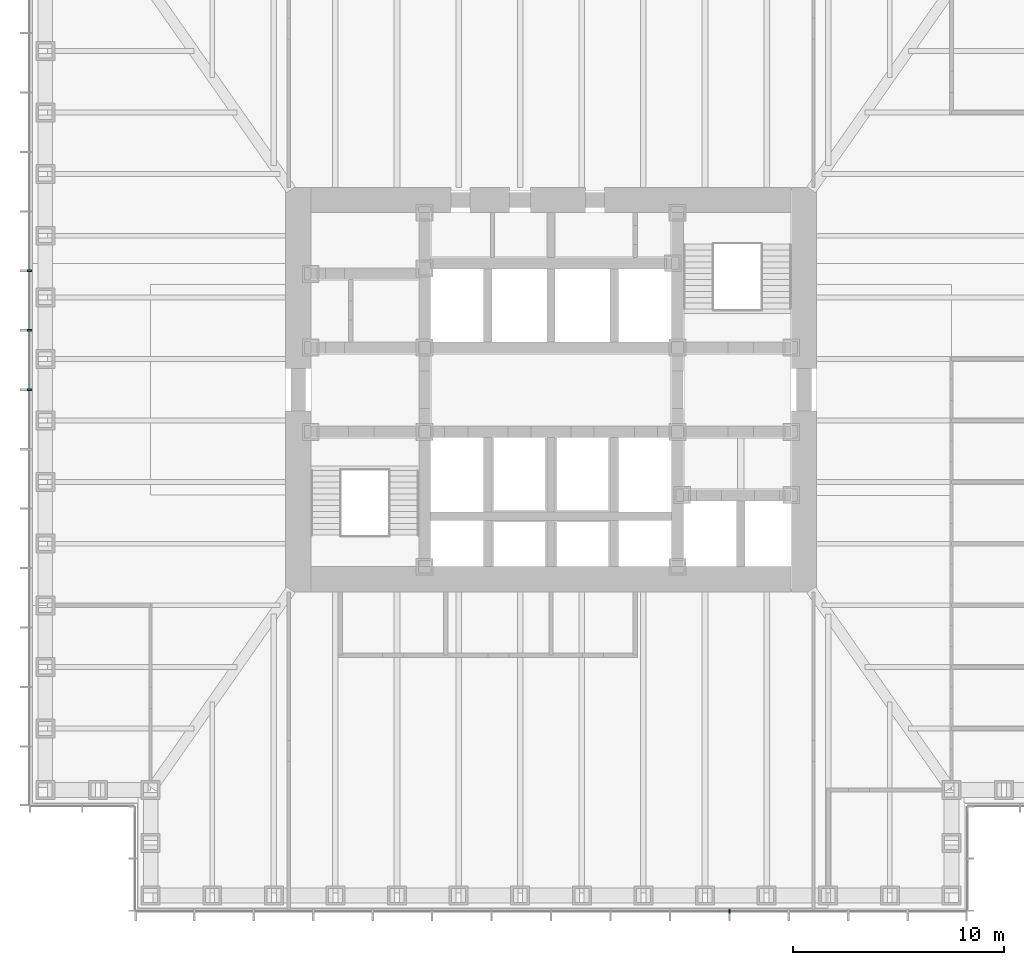
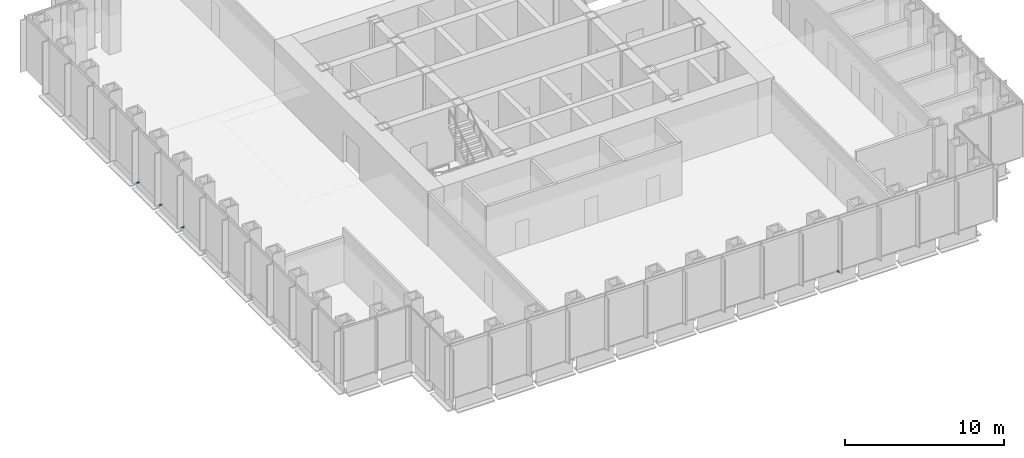
# One storey, part 12 of 16: 4 discrete accessories.
"""IFC4 building model written with IfcOpenShell, lengths in metres."""

from ifc_helpers import new_model, si_unit, direction, frame, origin, origin_2d, place, context, subcontext, project, spatial, rectangle, extrude, element, save


model = new_model("IFC4")

# Units and contexts
model_context = context("Model", 3, precision=1e-05, world=origin(), true_north=direction((0.0, 1.0)))
body_context = subcontext(model_context, "Body", "Model", "MODEL_VIEW")
ifc_project = project(units=[si_unit("LENGTHUNIT", "METRE"), si_unit("AREAUNIT", "SQUARE_METRE"), si_unit("VOLUMEUNIT", "CUBIC_METRE"), si_unit("PLANEANGLEUNIT", "RADIAN"), si_unit("MASSUNIT", "GRAM", prefix="KILO")], contexts=[model_context])

# Site, building, storey
site_placement = place(None, origin())
site = spatial("IfcSite", under=ifc_project, at=site_placement, CompositionType="ELEMENT")
building_placement = place(site_placement, origin())
building = spatial("IfcBuilding", under=site, at=building_placement, Name="Daluyong Arena Tower", CompositionType="ELEMENT")
storey_placement = place(building_placement, frame((0.0, 0.0, 76.89990234375)))
storey = spatial("IfcBuildingStorey", under=building, at=storey_placement, Name="L16", CompositionType="ELEMENT", Elevation=76.89990234375)

# Discrete accessories
for number, where, z_axis, x_axis, name in (
    (1, (64.46435546875, 55.25, -0.099853515625), (0.0, 0.0, 1.0), (1.0, 0.0, 0.0), "curtain wall L16 S anchor bracket 11"),
    (2, (31.25, 85.642822265625, -0.099853515625), (0.0, 0.0, 1.0), (0.0, -1.0, 0.0), "curtain wall L16 W anchor bracket 6"),
    (3, (31.25, 82.821533203125, -0.099853515625), (0.0, 0.0, 1.0), (0.0, -1.0, 0.0), "curtain wall L16 W anchor bracket 7"),
    (4, (31.25, 80.0, -0.099853515625), (0.0, 0.0, 1.0), (0.0, -1.0, 0.0), "curtain wall L16 W anchor bracket 8"),
):
    element("IfcDiscreteAccessory", number, at=place(storey_placement, frame(where, z_axis=z_axis, x_axis=x_axis)), inside=storey, Name=name, PredefinedType="BRACKET", context=body_context, shape_type="SweptSolid", body=[
        extrude(rectangle(XDim=0.080078125, YDim=0.199951171875, at=origin_2d()), origin(), (0.0, 0.0, 1.0), 0.10009765625),
    ])

save(model, "model.ifc")
